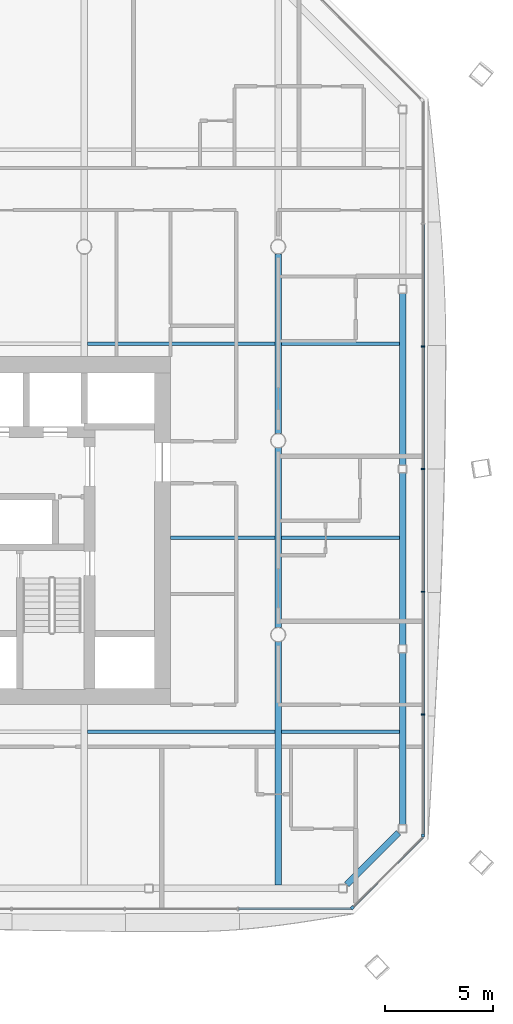
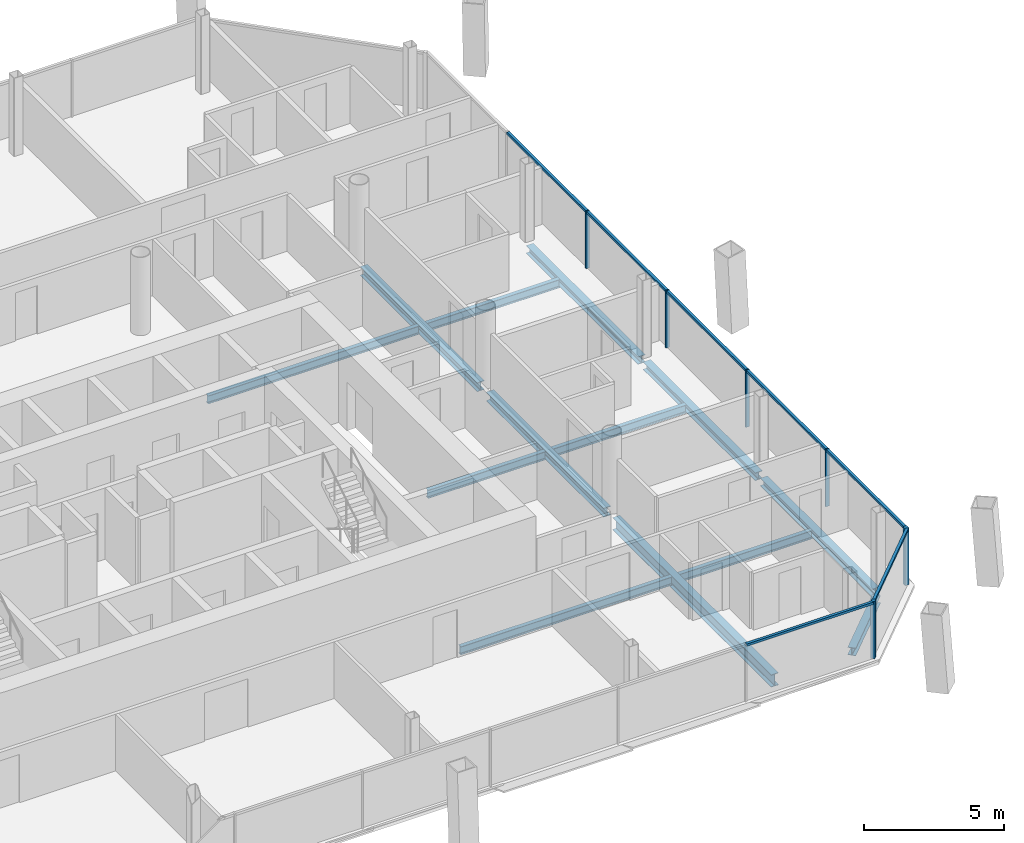
# One storey, part 7 of 17: 13 beams, 13 members, 3 elements without a shape of their own.
"""IFC4 building model written with IfcOpenShell, lengths in metres."""

from ifc_helpers import new_model, si_unit, direction, frame, origin, origin_2d, place, context, subcontext, project, spatial, rectangle, i_section, extrude, material, material_profile, profile_set, type_object, element, aggregate, save


model = new_model("IFC4")

# Units and contexts
model_context = context("Model", 3, precision=1e-05, world=origin(), true_north=direction((0.0, 1.0)))
body_context = subcontext(model_context, "Body", "Model", "MODEL_VIEW")
ifc_project = project(units=[si_unit("LENGTHUNIT", "METRE"), si_unit("AREAUNIT", "SQUARE_METRE"), si_unit("VOLUMEUNIT", "CUBIC_METRE"), si_unit("PLANEANGLEUNIT", "RADIAN"), si_unit("MASSUNIT", "GRAM", prefix="KILO")], contexts=[model_context])

# Site, building, storey
site_placement = place(None, origin())
site = spatial("IfcSite", under=ifc_project, at=site_placement, CompositionType="ELEMENT")
building_placement = place(site_placement, origin())
building = spatial("IfcBuilding", under=site, at=building_placement, Name="Tskaro Facet Tower", CompositionType="ELEMENT")
storey_placement = place(building_placement, frame((0.0, 0.0, 158.89990234375)))
storey = spatial("IfcBuildingStorey", under=building, at=storey_placement, Name="L39", CompositionType="ELEMENT", Elevation=158.89990234375)

# Curtain wall, member
ifc_material_1 = material(Name="Bronze anodised aluminium 6063-T6", Category="aluminium")
curtain_wall_type = type_object("IfcCurtainWallType", Name="Bronze hotel curtain wall (FW2)", PredefinedType="NOTDEFINED", material=ifc_material_1)
curtain_wall_1_placement = place(storey_placement, origin())
curtain_wall_1 = element("IfcCurtainWall", 1, at=curtain_wall_1_placement, inside=storey, type_object=curtain_wall_type, Name="FW2 south-east facet L39", PredefinedType="NOTDEFINED")
ifc_material_profile_1 = material_profile(ifc_material_1, rectangle(XDim=0.14990234375, YDim=0.14990234375, at=origin_2d()), Name="Corner post 150x150")
ifc_profile_set_1 = profile_set([ifc_material_profile_1], Name="Bronze anodised aluminium 6063-T6")
member_type_1 = type_object("IfcMemberType", Name="FW2 bronze corner post 150x150", PredefinedType="MULLION", material=ifc_profile_set_1)
member_1_placement = place(storey_placement, frame((21.445068359375, -21.6708984375, 0.0), z_axis=(0.0, 0.0, 1.0), x_axis=(0.707106781187, 0.707106781187, 0.0)))
member_1 = element("IfcMember", 2, at=member_1_placement, type_object=member_type_1, Name="FW2 south-east corner post", PredefinedType="MULLION", context=body_context, shape_type="SweptSolid", body=[
    extrude(rectangle(XDim=0.14990234375, YDim=0.14990234375, at=origin_2d()), origin(), (0.0, 0.0, 1.0), 2.489990234375),
])

# Curtain wall, members
curtain_wall_2_placement = place(storey_placement, origin())
curtain_wall_2 = element("IfcCurtainWall", 3, at=curtain_wall_2_placement, inside=storey, type_object=curtain_wall_type, Name="FW2 east facet L39", PredefinedType="NOTDEFINED")
member_2_placement = place(storey_placement, frame((24.72412109375, -18.31689453125, 0.0), z_axis=(0.0, 0.0, 1.0), x_axis=(0.0, 1.0, 0.0)))
member_2 = element("IfcMember", 4, at=member_2_placement, type_object=member_type_1, Name="FW2 east corner post", PredefinedType="MULLION", context=body_context, shape_type="SweptSolid", body=[
    extrude(rectangle(XDim=0.14990234375, YDim=0.14990234375, at=origin_2d()), origin(), (0.0, 0.0, 1.0), 2.489990234375),
])
ifc_material_profile_2 = material_profile(ifc_material_1, rectangle(XDim=0.06005859375, YDim=0.14990234375, at=origin_2d()), Name="Mullion 60x150")
ifc_profile_set_2 = profile_set([ifc_material_profile_2], Name="Bronze anodised aluminium 6063-T6")
member_type_2 = type_object("IfcMemberType", Name="FW2 bronze mullion 60x150", PredefinedType="MULLION", material=ifc_profile_set_2)
member_3_placement = place(storey_placement, frame((24.72412109375, -12.699951171875, 0.0), z_axis=(0.0, 0.0, 1.0), x_axis=(0.0, 1.0, 0.0)))
member_3 = element("IfcMember", 5, at=member_3_placement, type_object=member_type_2, Name="FW2 east mullion 1", PredefinedType="MULLION", context=body_context, shape_type="SweptSolid", body=[
    extrude(rectangle(XDim=0.06005859375, YDim=0.14990234375, at=origin_2d()), origin(), (0.0, 0.0, 1.0), 2.489990234375),
])
member_4_placement = place(storey_placement, frame((24.72412109375, -7.007568359375, 0.0), z_axis=(0.0, 0.0, 1.0), x_axis=(0.0, 1.0, 0.0)))
member_4 = element("IfcMember", 6, at=member_4_placement, type_object=member_type_2, Name="FW2 east mullion 2", PredefinedType="MULLION", context=body_context, shape_type="SweptSolid", body=[
    extrude(rectangle(XDim=0.06005859375, YDim=0.14990234375, at=origin_2d()), origin(), (0.0, 0.0, 1.0), 2.489990234375),
])
member_5_placement = place(storey_placement, frame((24.72412109375, -1.3154296875, 0.0), z_axis=(0.0, 0.0, 1.0), x_axis=(0.0, 1.0, 0.0)))
member_5 = element("IfcMember", 7, at=member_5_placement, type_object=member_type_2, Name="FW2 east mullion 3", PredefinedType="MULLION", context=body_context, shape_type="SweptSolid", body=[
    extrude(rectangle(XDim=0.06005859375, YDim=0.14990234375, at=origin_2d()), origin(), (0.0, 0.0, 1.0), 2.489990234375),
])
member_6_placement = place(storey_placement, frame((24.72412109375, 4.376708984375, 0.0), z_axis=(0.0, 0.0, 1.0), x_axis=(0.0, 1.0, 0.0)))
member_6 = element("IfcMember", 8, at=member_6_placement, type_object=member_type_2, Name="FW2 east mullion 4", PredefinedType="MULLION", context=body_context, shape_type="SweptSolid", body=[
    extrude(rectangle(XDim=0.06005859375, YDim=0.14990234375, at=origin_2d()), origin(), (0.0, 0.0, 1.0), 2.489990234375),
])

# Curtain wall, member
curtain_wall_3_placement = place(storey_placement, origin())
curtain_wall_3 = element("IfcCurtainWall", 9, at=curtain_wall_3_placement, inside=storey, type_object=curtain_wall_type, Name="FW2 south facet L39", PredefinedType="NOTDEFINED")
ifc_material_profile_3 = material_profile(ifc_material_1, rectangle(XDim=0.110107421875, YDim=0.10009765625, at=origin_2d()), Name="Transom 110x100")
ifc_profile_set_3 = profile_set([ifc_material_profile_3], Name="Bronze anodised aluminium 6063-T6")
member_type_3 = type_object("IfcMemberType", Name="FW2 bronze transom 110x100", PredefinedType="USERDEFINED", material=ifc_profile_set_3)
member_7_placement = place(storey_placement, frame((16.167236328125, -21.72412109375, 2.440185546875), z_axis=(1.0, 0.0, 0.0), x_axis=(0.0, 1.0, 0.0)))
member_7 = element("IfcMember", 10, at=member_7_placement, type_object=member_type_3, Name="FW2 south transom 7.1", ObjectType="TRANSOM", PredefinedType="USERDEFINED", context=body_context, shape_type="SweptSolid", body=[
    extrude(rectangle(XDim=0.110107421875, YDim=0.10009765625, at=origin_2d()), origin(), (0.0, 0.0, 1.0), 5.224853515625),
])
aggregate(curtain_wall_3, [member_7])

# Member
member_8_placement = place(storey_placement, frame((21.498046875, -21.617919921875, 2.440185546875), z_axis=(0.707133537663, 0.707080023698, 0.0), x_axis=(-0.707080023698, 0.707133537663, 0.0)))
member_8 = element("IfcMember", 11, at=member_8_placement, type_object=member_type_3, Name="FW2 south-east transom 1.1", ObjectType="TRANSOM", PredefinedType="USERDEFINED", context=body_context, shape_type="SweptSolid", body=[
    extrude(rectangle(XDim=0.110107421875, YDim=0.10009765625, at=origin_2d()), origin(), (0.0, 0.0, 1.0), 4.562255859375),
])

aggregate(curtain_wall_1, [member_1, member_8])

member_9_placement = place(storey_placement, frame((24.72412109375, -18.241943359375, 2.440185546875), z_axis=(0.0, 1.0, 0.0), x_axis=(-1.0, 0.0, 0.0)))
member_9 = element("IfcMember", 12, at=member_9_placement, type_object=member_type_3, Name="FW2 east transom 1.1", ObjectType="TRANSOM", PredefinedType="USERDEFINED", context=body_context, shape_type="SweptSolid", body=[
    extrude(rectangle(XDim=0.110107421875, YDim=0.10009765625, at=origin_2d()), origin(), (0.0, 0.0, 1.0), 5.51220703125),
])

member_10_placement = place(storey_placement, frame((24.72412109375, -12.669921875, 2.440185546875), z_axis=(0.0, 1.0, 0.0), x_axis=(-1.0, 0.0, 0.0)))
member_10 = element("IfcMember", 13, at=member_10_placement, type_object=member_type_3, Name="FW2 east transom 2.1", ObjectType="TRANSOM", PredefinedType="USERDEFINED", context=body_context, shape_type="SweptSolid", body=[
    extrude(rectangle(XDim=0.110107421875, YDim=0.10009765625, at=origin_2d()), origin(), (0.0, 0.0, 1.0), 5.63232421875),
])

member_11_placement = place(storey_placement, frame((24.72412109375, -6.977783203125, 2.440185546875), z_axis=(0.0, 1.0, 0.0), x_axis=(-1.0, 0.0, 0.0)))
member_11 = element("IfcMember", 14, at=member_11_placement, type_object=member_type_3, Name="FW2 east transom 3.1", ObjectType="TRANSOM", PredefinedType="USERDEFINED", context=body_context, shape_type="SweptSolid", body=[
    extrude(rectangle(XDim=0.110107421875, YDim=0.10009765625, at=origin_2d()), origin(), (0.0, 0.0, 1.0), 5.63232421875),
])

member_12_placement = place(storey_placement, frame((24.72412109375, -1.285400390625, 2.440185546875), z_axis=(0.0, 1.0, 0.0), x_axis=(-1.0, 0.0, 0.0)))
member_12 = element("IfcMember", 15, at=member_12_placement, type_object=member_type_3, Name="FW2 east transom 4.1", ObjectType="TRANSOM", PredefinedType="USERDEFINED", context=body_context, shape_type="SweptSolid", body=[
    extrude(rectangle(XDim=0.110107421875, YDim=0.10009765625, at=origin_2d()), origin(), (0.0, 0.0, 1.0), 5.632080078125),
])

member_13_placement = place(storey_placement, frame((24.72412109375, 4.40673828125, 2.440185546875), z_axis=(0.0, 1.0, 0.0), x_axis=(-1.0, 0.0, 0.0)))
member_13 = element("IfcMember", 16, at=member_13_placement, type_object=member_type_3, Name="FW2 east transom 5.1", ObjectType="TRANSOM", PredefinedType="USERDEFINED", context=body_context, shape_type="SweptSolid", body=[
    extrude(rectangle(XDim=0.110107421875, YDim=0.10009765625, at=origin_2d()), origin(), (0.0, 0.0, 1.0), 5.632080078125),
])

aggregate(curtain_wall_2, [member_2, member_3, member_4, member_5, member_6, member_9, member_10, member_11, member_12, member_13])

# Beams
ifc_material_2 = material(Name="Steel S355J2", Category="steel")
ifc_material_profile_4 = material_profile(ifc_material_2, i_section(OverallWidth=0.300048828125, OverallDepth=0.340087890625, WebThickness=0.011962890625, FlangeThickness=0.021484375, FilletRadius=0.027099609375, at=origin_2d()), Name="HE 340 B")
ifc_profile_set_4 = profile_set([ifc_material_profile_4], Name="Steel S355J2")
beam_type_1 = type_object("IfcBeamType", Name="HE 340 B ring beam", PredefinedType="BEAM", material=ifc_profile_set_4)
beam_1_placement = place(storey_placement, frame((21.184814453125, -20.588134765625, -0.309814453125), z_axis=(0.707106781187, 0.707106781187, 0.0), x_axis=(-0.707106781187, 0.707106781187, 0.0)))
element("IfcBeam", 17, at=beam_1_placement, inside=storey, type_object=beam_type_1, Name="HE 340 B EB5-3", PredefinedType="BEAM", context=body_context, shape_type="SweptSolid", body=[
    extrude(i_section(OverallWidth=0.300048828125, OverallDepth=0.340087890625, WebThickness=0.011962890625, FlangeThickness=0.021484375, FilletRadius=0.027099609375, at=origin_2d()), origin(), (0.0, 0.0, 1.0), 3.39892578125),
])
beam_2_placement = place(storey_placement, frame((23.77392578125, -17.819091796875, -0.309814453125), z_axis=(0.0, 1.0, 0.0), x_axis=(-1.0, 0.0, 0.0)))
element("IfcBeam", 18, at=beam_2_placement, inside=storey, type_object=beam_type_1, Name="HE 340 B EB6-3", PredefinedType="BEAM", context=body_context, shape_type="SweptSolid", body=[
    extrude(i_section(OverallWidth=0.300048828125, OverallDepth=0.340087890625, WebThickness=0.011962890625, FlangeThickness=0.021484375, FilletRadius=0.027099609375, at=origin_2d()), origin(), (0.0, 0.0, 1.0), 7.982177734375),
])
beam_3_placement = place(storey_placement, frame((23.77392578125, -9.47705078125, -0.309814453125), z_axis=(0.0, 1.0, 0.0), x_axis=(-1.0, 0.0, 0.0)))
element("IfcBeam", 19, at=beam_3_placement, inside=storey, type_object=beam_type_1, Name="HE 340 B EB7-3", PredefinedType="BEAM", context=body_context, shape_type="SweptSolid", body=[
    extrude(i_section(OverallWidth=0.300048828125, OverallDepth=0.340087890625, WebThickness=0.011962890625, FlangeThickness=0.021484375, FilletRadius=0.027099609375, at=origin_2d()), origin(), (0.0, 0.0, 1.0), 7.98095703125),
])
beam_4_placement = place(storey_placement, frame((23.77392578125, -1.135986328125, -0.309814453125), z_axis=(0.0, 1.0, 0.0), x_axis=(-1.0, 0.0, 0.0)))
element("IfcBeam", 20, at=beam_4_placement, inside=storey, type_object=beam_type_1, Name="HE 340 B EB8-3", PredefinedType="BEAM", context=body_context, shape_type="SweptSolid", body=[
    extrude(i_section(OverallWidth=0.300048828125, OverallDepth=0.340087890625, WebThickness=0.011962890625, FlangeThickness=0.021484375, FilletRadius=0.027099609375, at=origin_2d()), origin(), (0.0, 0.0, 1.0), 7.98193359375),
])
ifc_material_profile_5 = material_profile(ifc_material_2, i_section(OverallWidth=0.300048828125, OverallDepth=0.389892578125, WebThickness=0.010986328125, FlangeThickness=0.01904296875, FilletRadius=0.027099609375, at=origin_2d()), Name="HE 400 A")
ifc_profile_set_5 = profile_set([ifc_material_profile_5], Name="Steel S355J2")
beam_type_2 = type_object("IfcBeamType", Name="HE 400 A girder", PredefinedType="BEAM", material=ifc_profile_set_5)
for number, where, z_axis, x_axis, name in (
    (21, (18.0, -8.674560546875, -0.3349609375), (0.0, 1.0, 0.0), (-1.0, 0.0, 0.0), "HE 400 A GB6-2-3"),
    (22, (18.0, 0.325439453125, -0.3349609375), (0.0, 1.0, 0.0), (-1.0, 0.0, 0.0), "HE 400 A GB6-3-3"),
):
    element("IfcBeam", number, at=place(storey_placement, frame(where, z_axis=z_axis, x_axis=x_axis)), inside=storey, type_object=beam_type_2, Name=name, PredefinedType="BEAM", context=body_context, shape_type="SweptSolid", body=[
        extrude(i_section(OverallWidth=0.300048828125, OverallDepth=0.389892578125, WebThickness=0.010986328125, FlangeThickness=0.01904296875, FilletRadius=0.027099609375, at=origin_2d()), origin(), (0.0, 0.0, 1.0), 8.34912109375),
    ])
ifc_material_profile_6 = material_profile(ifc_material_2, i_section(OverallWidth=0.300048828125, OverallDepth=0.5400390625, WebThickness=0.012451171875, FlangeThickness=0.02392578125, FilletRadius=0.027099609375, at=origin_2d()), Name="HE 550 A")
ifc_profile_set_6 = profile_set([ifc_material_profile_6], Name="Steel S355J2")
beam_type_3 = type_object("IfcBeamType", Name="HE 550 A long girder", PredefinedType="BEAM", material=ifc_profile_set_6)
beam_5_placement = place(storey_placement, frame((18.0, -20.6240234375, -0.409912109375), z_axis=(0.0, 1.0, 0.0), x_axis=(-1.0, 0.0, 0.0)))
element("IfcBeam", 23, at=beam_5_placement, inside=storey, type_object=beam_type_3, Name="HE 550 A LGB6-1-3", PredefinedType="BEAM", context=body_context, shape_type="SweptSolid", body=[
    extrude(i_section(OverallWidth=0.300048828125, OverallDepth=0.5400390625, WebThickness=0.012451171875, FlangeThickness=0.02392578125, FilletRadius=0.027099609375, at=origin_2d()), origin(), (0.0, 0.0, 1.0), 11.298583984375),
])
ifc_material_profile_7 = material_profile(ifc_material_2, i_section(OverallWidth=0.169921875, OverallDepth=0.360107421875, WebThickness=0.008056640625, FlangeThickness=0.0126953125, FilletRadius=0.01806640625, at=origin_2d()), Name="IPE 360")
ifc_profile_set_7 = profile_set([ifc_material_profile_7], Name="Steel S355J2")
beam_type_4 = type_object("IfcBeamType", Name="IPE 360 secondary beam", PredefinedType="BEAM", material=ifc_profile_set_7)
beam_6_placement = place(storey_placement, frame((9.14990234375, -13.5, -0.31982421875), z_axis=(1.0, 0.0, 0.0), x_axis=(0.0, 1.0, 0.0)))
element("IfcBeam", 24, at=beam_6_placement, inside=storey, type_object=beam_type_4, Name="IPE 360 SB2a-4-3", PredefinedType="BEAM", context=body_context, shape_type="SweptSolid", body=[
    extrude(i_section(OverallWidth=0.169921875, OverallDepth=0.360107421875, WebThickness=0.008056640625, FlangeThickness=0.0126953125, FilletRadius=0.01806640625, at=origin_2d()), origin(), (0.0, 0.0, 1.0), 8.7001953125),
])
beam_7_placement = place(storey_placement, frame((18.14990234375, -13.5, -0.31982421875), z_axis=(1.0, 0.0, 0.0), x_axis=(0.0, 1.0, 0.0)))
element("IfcBeam", 25, at=beam_7_placement, inside=storey, type_object=beam_type_4, Name="IPE 360 SB2a-5-3", PredefinedType="BEAM", context=body_context, shape_type="SweptSolid", body=[
    extrude(i_section(OverallWidth=0.169921875, OverallDepth=0.360107421875, WebThickness=0.008056640625, FlangeThickness=0.0126953125, FilletRadius=0.01806640625, at=origin_2d()), origin(), (0.0, 0.0, 1.0), 5.47412109375),
])
beam_8_placement = place(storey_placement, frame((13.0, -4.5, -0.31982421875), z_axis=(1.0, 0.0, 0.0), x_axis=(0.0, 1.0, 0.0)))
element("IfcBeam", 26, at=beam_8_placement, inside=storey, type_object=beam_type_4, Name="IPE 360 SB3a-2-3", PredefinedType="BEAM", context=body_context, shape_type="SweptSolid", body=[
    extrude(i_section(OverallWidth=0.169921875, OverallDepth=0.360107421875, WebThickness=0.008056640625, FlangeThickness=0.0126953125, FilletRadius=0.01806640625, at=origin_2d()), origin(), (0.0, 0.0, 1.0), 4.85009765625),
])
beam_9_placement = place(storey_placement, frame((18.14990234375, -4.5, -0.31982421875), z_axis=(1.0, 0.0, 0.0), x_axis=(0.0, 1.0, 0.0)))
element("IfcBeam", 27, at=beam_9_placement, inside=storey, type_object=beam_type_4, Name="IPE 360 SB3a-3-3", PredefinedType="BEAM", context=body_context, shape_type="SweptSolid", body=[
    extrude(i_section(OverallWidth=0.169921875, OverallDepth=0.360107421875, WebThickness=0.008056640625, FlangeThickness=0.0126953125, FilletRadius=0.01806640625, at=origin_2d()), origin(), (0.0, 0.0, 1.0), 5.47412109375),
])
beam_10_placement = place(storey_placement, frame((9.14990234375, 4.5, -0.31982421875), z_axis=(1.0, 0.0, 0.0), x_axis=(0.0, 1.0, 0.0)))
element("IfcBeam", 28, at=beam_10_placement, inside=storey, type_object=beam_type_4, Name="IPE 360 SB4a-4-3", PredefinedType="BEAM", context=body_context, shape_type="SweptSolid", body=[
    extrude(i_section(OverallWidth=0.169921875, OverallDepth=0.360107421875, WebThickness=0.008056640625, FlangeThickness=0.0126953125, FilletRadius=0.01806640625, at=origin_2d()), origin(), (0.0, 0.0, 1.0), 8.7001953125),
])
beam_11_placement = place(storey_placement, frame((18.14990234375, 4.5, -0.31982421875), z_axis=(1.0, 0.0, 0.0), x_axis=(0.0, 1.0, 0.0)))
element("IfcBeam", 29, at=beam_11_placement, inside=storey, type_object=beam_type_4, Name="IPE 360 SB4a-5-3", PredefinedType="BEAM", context=body_context, shape_type="SweptSolid", body=[
    extrude(i_section(OverallWidth=0.169921875, OverallDepth=0.360107421875, WebThickness=0.008056640625, FlangeThickness=0.0126953125, FilletRadius=0.01806640625, at=origin_2d()), origin(), (0.0, 0.0, 1.0), 5.47412109375),
])

save(model, "model.ifc")
